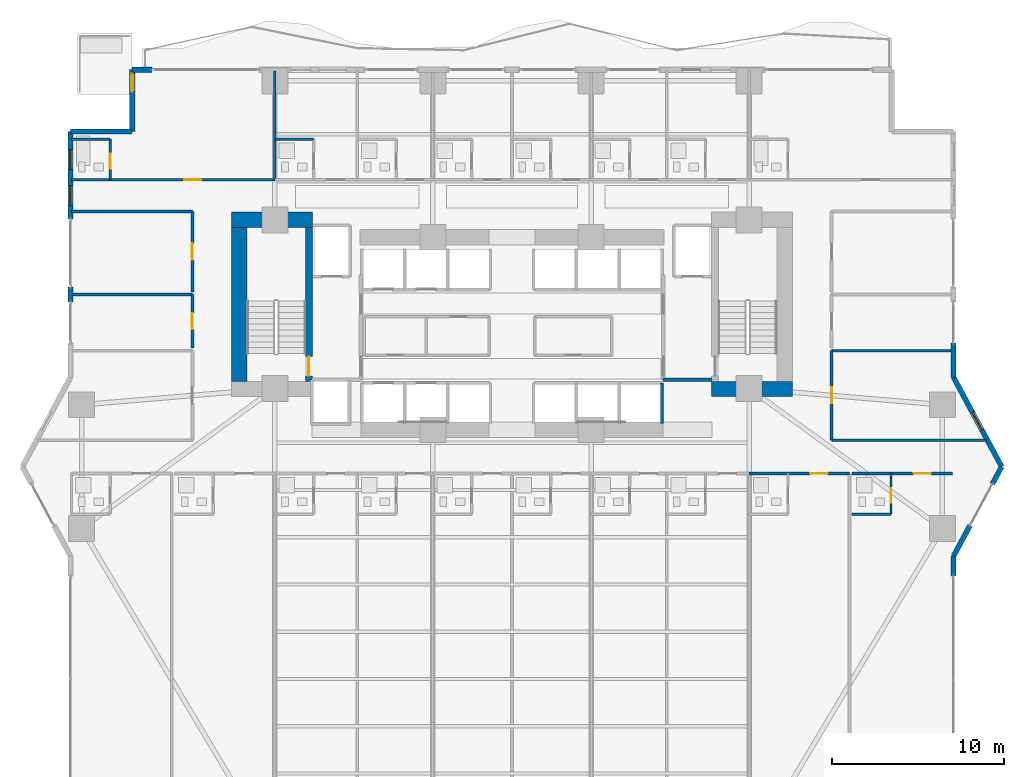
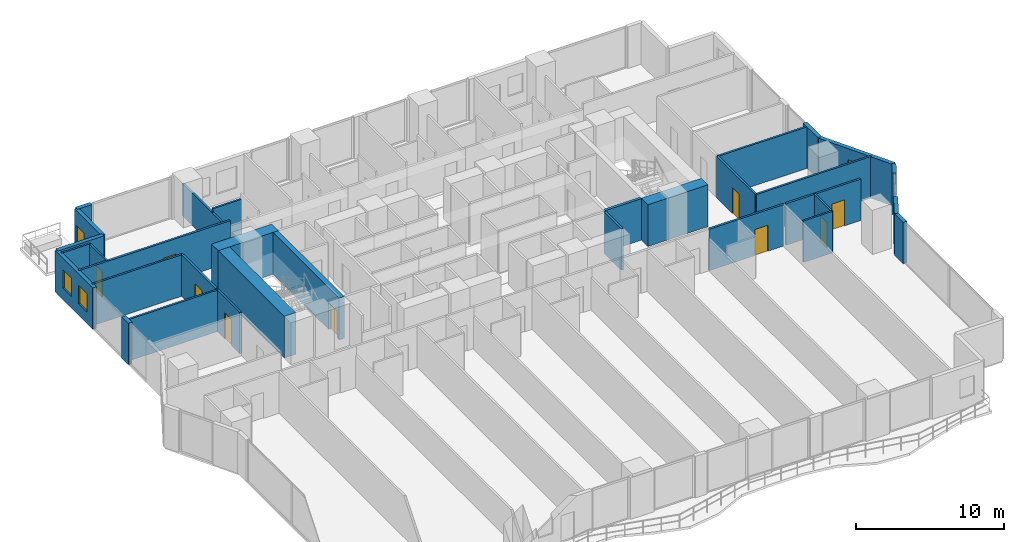
# One storey, part 21 of 29: 32 walls, 10 doors, 3 windows, 13 openings.
"""IFC4 building model written with IfcOpenShell, lengths in metres."""

import ifcopenshell
import ifcopenshell.guid

model = None  # the IFC model being written
_history = None  # IfcOwnerHistory: only IFC2X3 demands one
_inside = {}  # id of a spatial element -> (the spatial element, [elements in it])
_under = {}  # id of a project, library or spatial element -> (it, [spatial elements below it])
_declared = {}  # id of a project -> (the project, [libraries it declares])
_typed = {}  # id of a type object -> (the type object, [elements of that type])
_made_of = {}  # id of a material, layer set ... -> (it, [elements and type objects made of it])


def new_model(schema):
    """Start an empty IFC model of exactly this schema.

    Asked for "IFC4X3", IfcOpenShell would pick the latest addendum, in which some entities
    have other attributes; the version numbers below select the first issue.
    IFC2X3 requires an IfcOwnerHistory on every rooted entity: one is made here for all.
    """
    global model, _history
    if schema == "IFC4X3":
        model = ifcopenshell.file(schema_version=(4, 3, 0, 0))
    else:
        model = ifcopenshell.file(schema=schema)
    _inside.clear()
    _under.clear()
    _declared.clear()
    _typed.clear()
    _made_of.clear()
    _history = None
    if model.schema == "IFC2X3":
        org = make("IfcOrganization", Name="unknown")
        user = make(
            "IfcPersonAndOrganization",
            ThePerson=make("IfcPerson", FamilyName="unknown"),
            TheOrganization=org,
        )
        app = make(
            "IfcApplication",
            ApplicationDeveloper=org,
            Version="unknown",
            ApplicationFullName="unknown",
            ApplicationIdentifier="unknown",
        )
        _history = make(
            "IfcOwnerHistory",
            OwningUser=user,
            OwningApplication=app,
            ChangeAction="ADDED",
            CreationDate=0,
        )
    return model


def make(cls, **values):
    """One entity of the class cls with the attributes given. An attribute that is None is left unset."""
    return model.create_entity(
        cls, **{name: value for name, value in values.items() if value is not None}
    )


def rooted(cls, **values):
    """An entity with a GlobalId (a new one), such as an element, a storey or a relation."""
    return make(cls, GlobalId=ifcopenshell.guid.new(), OwnerHistory=_history, **values)


def si_unit(unit_type, name, prefix=None):
    """IfcSIUnit, for example si_unit("LENGTHUNIT", "METRE", prefix="MILLI")."""
    return make("IfcSIUnit", UnitType=unit_type, Prefix=prefix, Name=name)


def assignment(units):
    """IfcUnitAssignment: the units of a project."""
    return None if units is None else make("IfcUnitAssignment", Units=units)


def point(xyz):
    """IfcCartesianPoint."""
    return None if xyz is None else make("IfcCartesianPoint", Coordinates=xyz)


def direction(xyz):
    """IfcDirection."""
    return None if xyz is None else make("IfcDirection", DirectionRatios=xyz)


def frame(location, z_axis=None, x_axis=None):
    """IfcAxis2Placement3D, a coordinate frame: its origin and axes. An axis left out is left unset."""
    return make(
        "IfcAxis2Placement3D",
        Location=point(location),
        Axis=direction(z_axis),
        RefDirection=direction(x_axis),
    )


def frame_2d(location, x_axis=None):
    """IfcAxis2Placement2D, a coordinate frame in the plane: its origin and x axis."""
    return make(
        "IfcAxis2Placement2D", Location=point(location), RefDirection=direction(x_axis)
    )


def origin():
    """The frame at (0, 0, 0) with its axes left unset."""
    return frame((0.0, 0.0, 0.0))


def place(relative_to, where):
    """IfcLocalPlacement: puts the frame where relative to a parent placement (None: the world)."""
    return make(
        "IfcLocalPlacement", PlacementRelTo=relative_to, RelativePlacement=where
    )


def context(
    kind, dimensions, precision=None, world=None, true_north=None, identifier=None
):
    """IfcGeometricRepresentationContext, for example the 3D "Model" context."""
    return make(
        "IfcGeometricRepresentationContext",
        ContextIdentifier=identifier,
        ContextType=kind,
        CoordinateSpaceDimension=dimensions,
        Precision=precision,
        WorldCoordinateSystem=world,
        TrueNorth=true_north,
    )


def subcontext(parent, identifier, kind, view, scale=None):
    """IfcGeometricRepresentationSubContext, for example "Body" below "Model"."""
    return make(
        "IfcGeometricRepresentationSubContext",
        ContextIdentifier=identifier,
        ContextType=kind,
        ParentContext=parent,
        TargetScale=scale,
        TargetView=view,
    )


def project(units=None, contexts=None):
    """IfcProject with its units and contexts."""
    return rooted(
        "IfcProject",
        Name="project",
        RepresentationContexts=contexts,
        UnitsInContext=assignment(units),
    )


def spatial(cls, under=None, at=None, **own):
    """A site, building, storey or space (cls), placed at a placement, below another one or the project."""
    s = rooted(cls, ObjectPlacement=at, **own)
    if under is not None:
        _under.setdefault(under.id(), (under, []))[1].append(s)
    return s


def profile(cls, at=None, kind="AREA", **sizes):
    """A parametric profile (cls). Its sizes go by their IFC names, for example OverallWidth=200.0."""
    return make(cls, ProfileType=kind, Position=at, **sizes)


def rectangle(**sizes):
    """IfcRectangleProfileDef."""
    return profile("IfcRectangleProfileDef", **sizes)


def extrude(swept, where, along, depth):
    """IfcExtrudedAreaSolid: the profile swept, set in the frame where, extruded along a direction by depth."""
    return make(
        "IfcExtrudedAreaSolid",
        SweptArea=swept,
        Position=where,
        ExtrudedDirection=direction(along),
        Depth=depth,
    )


def shape(context_of_items, identifier, shape_type, items):
    """IfcShapeRepresentation: the items that make up one representation, for example the "Body"."""
    return make(
        "IfcShapeRepresentation",
        ContextOfItems=context_of_items,
        RepresentationIdentifier=identifier,
        RepresentationType=shape_type,
        Items=items,
    )


def material(Name=None, Category=None):
    """IfcMaterial."""
    return make("IfcMaterial", Name=Name, Category=Category)


def layer(
    of_material, thickness, ventilated=None, Name=None, Category=None, Priority=None
):
    """IfcMaterialLayer: one layer of a wall or slab, of a material (None: an air gap)."""
    return make(
        "IfcMaterialLayer",
        Material=of_material,
        LayerThickness=thickness,
        IsVentilated=ventilated,
        Name=Name,
        Category=Category,
        Priority=Priority,
    )


def layer_set(layers, Name=None):
    """IfcMaterialLayerSet."""
    return make("IfcMaterialLayerSet", MaterialLayers=layers, LayerSetName=Name)


def made_of(thing, what):
    """Note that an element or type object is made of a material, layer set ...; save() writes the relation."""
    if what is not None:
        _made_of.setdefault(what.id(), (what, []))[1].append(thing)
    return thing


def type_object(cls, material=None, **own):
    """A type object (cls), such as IfcWallType, which elements share."""
    return made_of(rooted(cls, **own), material)


def element(
    cls,
    number,
    at=None,
    inside=None,
    cuts=None,
    type_object=None,
    material=None,
    context=None,
    identifier="Body",
    shape_type=None,
    held_by="IfcProductDefinitionShape",
    body=None,
    shapes=None,
    **own,
):
    """One element of the class cls, such as IfcWall. Its Tag is "e" and its number.

    at: its placement. inside: the storey or other place that contains it. cuts: it is an
    opening in that element (IfcRelVoidsElement). A single representation is given by context,
    identifier, shape_type and body (its items); several are given by shapes. held_by: the class
    of the entity that holds the representations. save() writes the other relations.
    """
    e = rooted(cls, Tag="e%d" % number, ObjectPlacement=at, **own)
    if body is not None:
        shapes = [shape(context, identifier, shape_type, body)]
    if shapes is not None:
        e.Representation = make(held_by, Representations=shapes)
    if inside is not None:
        _inside.setdefault(inside.id(), (inside, []))[1].append(e)
    if cuts is not None:
        rooted(
            "IfcRelVoidsElement", RelatingBuildingElement=cuts, RelatedOpeningElement=e
        )
    if type_object is not None:
        _typed.setdefault(type_object.id(), (type_object, []))[1].append(e)
    return made_of(e, material)


def fill(opening, filler):
    """IfcRelFillsElement: the door or window that sits in an opening."""
    return rooted(
        "IfcRelFillsElement",
        RelatingOpeningElement=opening,
        RelatedBuildingElement=filler,
    )


def aggregate(whole, parts):
    """IfcRelAggregates: a whole, such as a stair, and the parts it consists of."""
    return rooted("IfcRelAggregates", RelatingObject=whole, RelatedObjects=parts)


def save(model, path):
    """Write the relations noted so far, then the file.

    IfcRelAggregates (storeys below a building ...), IfcRelContainedInSpatialStructure (elements
    in a storey), IfcRelDefinesByType, IfcRelAssociatesMaterial and IfcRelDeclares: one each for
    every whole, place, type object, material and project.
    """
    for whole, parts in _under.values():
        aggregate(whole, parts)
    for where, things in _inside.values():
        rooted(
            "IfcRelContainedInSpatialStructure",
            RelatedElements=things,
            RelatingStructure=where,
        )
    for kind, things in _typed.values():
        rooted("IfcRelDefinesByType", RelatedObjects=things, RelatingType=kind)
    for what, things in _made_of.values():
        rooted("IfcRelAssociatesMaterial", RelatedObjects=things, RelatingMaterial=what)
    for by, libraries in _declared.values():
        rooted("IfcRelDeclares", RelatingContext=by, RelatedDefinitions=libraries)
    model.write(path)


model = new_model("IFC4")

# Units and contexts
model_context = context("Model", 3, precision=1e-05, world=origin(), true_north=direction((0.0, 1.0)))
body_context = subcontext(model_context, "Body", "Model", "MODEL_VIEW")
ifc_project = project(units=[si_unit("LENGTHUNIT", "METRE"), si_unit("AREAUNIT", "SQUARE_METRE"), si_unit("VOLUMEUNIT", "CUBIC_METRE"), si_unit("PLANEANGLEUNIT", "RADIAN"), si_unit("MASSUNIT", "GRAM", prefix="KILO")], contexts=[model_context])

# Site, building, storey
site_placement = place(None, origin())
site = spatial("IfcSite", under=ifc_project, at=site_placement, CompositionType="ELEMENT")
building_placement = place(site_placement, origin())
building = spatial("IfcBuilding", under=site, at=building_placement, Name="Zuhayl Quay Hotel", CompositionType="ELEMENT")
storey_placement = place(building_placement, frame((0.0, 0.0, 64.10009765625)))
storey = spatial("IfcBuildingStorey", under=building, at=storey_placement, Name="L15", CompositionType="ELEMENT", Elevation=64.10009765625)

# Walls
ifc_material_1 = material(Name="Concrete C70/85", Category="concrete")
ifc_layer_1 = layer(ifc_material_1, 0.89990234375, Name="Concrete C70/85", Category="concrete")
ifc_layer_set_1 = layer_set([ifc_layer_1], Name="Concrete C70/85")
wall_type_1 = type_object("IfcWallType", Name="WL_CORE_900", PredefinedType="SHEAR", material=ifc_layer_set_1)
wall_1_placement = place(storey_placement, frame((-16.31005859375, 14.3798828125, 0.0), z_axis=(0.0, 0.0, 1.0), x_axis=(1.0, 0.0, 0.0)))
element("IfcWall", 1, at=wall_1_placement, inside=storey, type_object=wall_type_1, Name="L15 Core Shear Wall CW_NW", PredefinedType="SHEAR", context=body_context, shape_type="SweptSolid", body=[
    extrude(rectangle(XDim=4.7099609375, YDim=0.89990234375, at=frame_2d((2.35498046875, 0.0))), origin(), (0.0, 0.0, 1.0), 3.4599609375),
])
wall_2_placement = place(storey_placement, frame((-15.860107421875, 4.969970703125, 0.0), z_axis=(0.0, 0.0, 1.0), x_axis=(0.0, 1.0, 0.0)))
element("IfcWall", 2, at=wall_2_placement, inside=storey, type_object=wall_type_1, Name="L15 Core Shear Wall CW_W", PredefinedType="SHEAR", context=body_context, shape_type="SweptSolid", body=[
    extrude(rectangle(XDim=8.9599609375, YDim=0.89990234375, at=frame_2d((4.47998046875, 0.0))), origin(), (0.0, 0.0, 1.0), 3.4599609375),
])
wall_3_placement = place(storey_placement, frame((11.60009765625, 4.52001953125, 0.0), z_axis=(0.0, 0.0, 1.0), x_axis=(1.0, 0.0, 0.0)))
element("IfcWall", 3, at=wall_3_placement, inside=storey, type_object=wall_type_1, Name="L15 Core Shear Wall CW_SE", PredefinedType="SHEAR", context=body_context, shape_type="SweptSolid", body=[
    extrude(rectangle(XDim=4.7099609375, YDim=0.89990234375, at=frame_2d((2.35498046875, 0.0))), origin(), (0.0, 0.0, 1.0), 3.4599609375),
])
ifc_material_2 = material(Name="Precast concrete C45/55", Category="concrete")
ifc_layer_2 = layer(ifc_material_2, 0.300048828125, Name="Precast concrete C45/55", Category="concrete")
ifc_layer_set_2 = layer_set([ifc_layer_2], Name="Precast concrete C45/55")
wall_type_2 = type_object("IfcWallType", Name="WL_EXT_300", PredefinedType="STANDARD", material=ifc_layer_set_2)
wall_4_placement = place(storey_placement, frame((-25.699951171875, 9.570068359375, 0.0), z_axis=(0.0, 0.0, 1.0), x_axis=(0.0, 1.0, 0.0)))
element("IfcWall", 4, at=wall_4_placement, inside=storey, type_object=wall_type_2, Name="L15 Exterior Precast Wall ENV_L15_E05_EW2", PredefinedType="STANDARD", context=body_context, shape_type="SweptSolid", body=[
    extrude(rectangle(XDim=0.89990234375, YDim=0.300048828125, at=frame_2d((0.449951171875, 0.0))), origin(), (0.0, 0.0, 1.0), 3.429931640625),
])

# Wall, openings, windows
wall_5_placement = place(storey_placement, frame((-25.699951171875, 14.39990234375, 0.0), z_axis=(0.0, 0.0, 1.0), x_axis=(0.0, 1.0, 0.0)))
wall_5 = element("IfcWall", 5, at=wall_5_placement, inside=storey, type_object=wall_type_2, Name="L15 Exterior Precast Wall ENV_L15_E05_EW3", PredefinedType="STANDARD", context=body_context, shape_type="SweptSolid", body=[
    extrude(rectangle(XDim=5.10009765625, YDim=0.300048828125, at=frame_2d((2.550048828125, 0.0))), origin(), (0.0, 0.0, 1.0), 3.429931640625),
])
opening_1_placement = place(wall_5_placement, frame((0.800048828125, 0.0, 0.949951171875)))
opening_1 = element("IfcOpeningElement", 6, at=opening_1_placement, cuts=wall_5, Name="Opening W01N", PredefinedType="OPENING", context=body_context, shape_type="SweptSolid", body=[
    extrude(rectangle(XDim=1.14990234375, YDim=1.550048828125, at=frame_2d((0.574951171875, 0.77490234375))), frame((0.0, 0.159912109375, 0.0), z_axis=(0.0, -1.0, 0.0), x_axis=(1.0, 0.0, 0.0)), (0.0, 0.0, 1.0), 0.320068359375),
])
opening_2_placement = place(wall_5_placement, frame((2.905029296875, 0.0, 0.949951171875)))
opening_2 = element("IfcOpeningElement", 7, at=opening_2_placement, cuts=wall_5, Name="Opening W01N", PredefinedType="OPENING", context=body_context, shape_type="SweptSolid", body=[
    extrude(rectangle(XDim=1.14990234375, YDim=1.550048828125, at=frame_2d((0.574951171875, 0.77490234375))), frame((0.0, 0.159912109375, 0.0), z_axis=(0.0, -1.0, 0.0), x_axis=(1.0, 0.0, 0.0)), (0.0, 0.0, 1.0), 0.320068359375),
])
ifc_material_3 = material(Name="Dark Ceramic-Fritted Solar Glass", Category="glass")
window_type = type_object("IfcWindowType", Name="WN_NOTCH_1350", PartitioningType="SINGLE_PANEL", PredefinedType="WINDOW", material=ifc_material_3)
window_1_placement = place(opening_1_placement, origin())
window_1 = element("IfcWindow", 8, at=window_1_placement, inside=storey, type_object=window_type, Name="L15 Operable Facade Window 3-1", OverallHeight=1.550048828125, OverallWidth=1.14990234375, PartitioningType="SINGLE_PANEL", PredefinedType="WINDOW", context=body_context, shape_type="SweptSolid", body=[
    extrude(rectangle(XDim=1.14990234375, YDim=1.550048828125, at=frame_2d((0.574951171875, 0.77490234375))), frame((0.0, 0.030029296875, 0.0), z_axis=(0.0, -1.0, 0.0), x_axis=(1.0, 0.0, 0.0)), (0.0, 0.0, 1.0), 0.06005859375),
])
fill(opening_1, window_1)
window_2_placement = place(opening_2_placement, origin())
window_2 = element("IfcWindow", 9, at=window_2_placement, inside=storey, type_object=window_type, Name="L15 Operable Facade Window 3-2", OverallHeight=1.550048828125, OverallWidth=1.14990234375, PartitioningType="SINGLE_PANEL", PredefinedType="WINDOW", context=body_context, shape_type="SweptSolid", body=[
    extrude(rectangle(XDim=1.14990234375, YDim=1.550048828125, at=frame_2d((0.574951171875, 0.77490234375))), frame((0.0, 0.030029296875, 0.0), z_axis=(0.0, -1.0, 0.0), x_axis=(1.0, 0.0, 0.0)), (0.0, 0.0, 1.0), 0.06005859375),
])
fill(opening_2, window_2)

# Wall
wall_6_placement = place(storey_placement, frame((-25.699951171875, 19.5, 0.0), z_axis=(0.0, 0.0, 1.0), x_axis=(1.0, 0.0, 0.0)))
element("IfcWall", 10, at=wall_6_placement, inside=storey, type_object=wall_type_2, Name="L15 Exterior Precast Wall ENV_L15_EW06", PredefinedType="STANDARD", context=body_context, shape_type="SweptSolid", body=[
    extrude(rectangle(XDim=3.599853515625, YDim=0.300048828125, at=frame_2d((1.7998046875, 0.0))), origin(), (0.0, 0.0, 1.0), 3.429931640625),
])

# Wall, opening, door
wall_7_placement = place(storey_placement, frame((-22.10009765625, 19.5, 0.0), z_axis=(0.0, 0.0, 1.0), x_axis=(0.0, 1.0, 0.0)))
wall_7 = element("IfcWall", 11, at=wall_7_placement, inside=storey, type_object=wall_type_2, Name="L15 Exterior Precast Wall ENV_L15_SP_NW", PredefinedType="STANDARD", context=body_context, shape_type="SweptSolid", body=[
    extrude(rectangle(XDim=3.60009765625, YDim=0.300048828125, at=frame_2d((1.800048828125, 0.0))), origin(), (0.0, 0.0, 1.0), 3.429931640625),
])
opening_3_placement = place(wall_7_placement, frame((2.330078125, 0.0, 0.0)))
opening_3 = element("IfcOpeningElement", 12, at=opening_3_placement, cuts=wall_7, Name="Opening DG1", PredefinedType="OPENING", context=body_context, shape_type="SweptSolid", body=[
    extrude(rectangle(XDim=1.050048828125, YDim=2.199951171875, at=frame_2d((0.52490234375, 1.10009765625))), frame((0.0, 0.159912109375, 0.0), z_axis=(0.0, -1.0, 0.0), x_axis=(1.0, 0.0, 0.0)), (0.0, 0.0, 1.0), 0.320068359375),
])
ifc_material_4 = material(Name="Anodised Aluminium and Dark Solar Glass", Category="aluminium")
door_type_1 = type_object("IfcDoorType", Name="DR_EXT_TERR_1050", OperationType="NOTDEFINED", PredefinedType="DOOR", material=ifc_material_4)
door_1_placement = place(opening_3_placement, origin())
door_1 = element("IfcDoor", 13, at=door_1_placement, inside=storey, type_object=door_type_1, Name="L15 Spiral Sky-Terrace NW Access Door", OperationType="SINGLE_SWING_LEFT", OverallHeight=2.199951171875, OverallWidth=1.050048828125, PredefinedType="DOOR", context=body_context, shape_type="SweptSolid", body=[
    extrude(rectangle(XDim=1.050048828125, YDim=2.199951171875, at=frame_2d((0.52490234375, 1.10009765625))), frame((0.0, 0.02490234375, 0.0), z_axis=(0.0, -1.0, 0.0), x_axis=(1.0, 0.0, 0.0)), (0.0, 0.0, 1.0), 0.050048828125),
])
fill(opening_3, door_1)

# Walls
wall_8_placement = place(storey_placement, frame((-22.10009765625, 23.10009765625, 0.0), z_axis=(0.0, 0.0, 1.0), x_axis=(1.0, 0.0, 0.0)))
element("IfcWall", 14, at=wall_8_placement, inside=storey, type_object=wall_type_2, Name="L15 Exterior Precast Wall ENV_L15_N_EW1", PredefinedType="STANDARD", context=body_context, shape_type="SweptSolid", body=[
    extrude(rectangle(XDim=1.150146484375, YDim=0.300048828125, at=frame_2d((0.5751953125, 0.0))), origin(), (0.0, 0.0, 1.0), 3.429931640625),
])
wall_9_placement = place(storey_placement, frame((25.699951171875, 7.199951171875, 0.0), z_axis=(0.0, 0.0, 1.0), x_axis=(0.0, -1.0, 0.0)))
element("IfcWall", 15, at=wall_9_placement, inside=storey, type_object=wall_type_2, Name="L15 Exterior Precast Wall ENV_L15_E11_EW3", PredefinedType="STANDARD", context=body_context, shape_type="SweptSolid", body=[
    extrude(rectangle(XDim=2.0, YDim=0.300048828125, at=frame_2d((1.0, 0.0))), origin(), (0.0, 0.0, 1.0), 3.429931640625),
])

# Wall, opening, window
wall_10_placement = place(storey_placement, frame((25.699951171875, 5.199951171875, 0.0), z_axis=(0.0, 0.0, 1.0), x_axis=(0.474109683532, -0.880465790352, 0.0)))
wall_10 = element("IfcWall", 16, at=wall_10_placement, inside=storey, type_object=wall_type_2, Name="L15 Exterior Precast Wall ENV_L15_E12_EW1", PredefinedType="STANDARD", context=body_context, shape_type="SweptSolid", body=[
    extrude(rectangle(XDim=5.906005859375, YDim=0.300048828125, at=frame_2d((2.953125, 0.0))), origin(), (0.0, 0.0, 1.0), 3.429931640625),
])
opening_4_placement = place(wall_10_placement, frame((2.32373046875, 0.0, 0.949951171875)))
opening_4 = element("IfcOpeningElement", 17, at=opening_4_placement, cuts=wall_10, Name="Opening W01N", PredefinedType="OPENING", context=body_context, shape_type="SweptSolid", body=[
    extrude(rectangle(XDim=1.14990234375, YDim=1.550048828125, at=frame_2d((0.574951171875, 0.77490234375))), frame((0.0, 0.159912109375, 0.0), z_axis=(0.0, -1.0, 0.0), x_axis=(1.0, 0.0, 0.0)), (0.0, 0.0, 1.0), 0.320068359375),
])
window_3_placement = place(opening_4_placement, origin())
window_3 = element("IfcWindow", 18, at=window_3_placement, inside=storey, type_object=window_type, Name="L15 Operable Facade Window 1-1", OverallHeight=1.550048828125, OverallWidth=1.14990234375, PartitioningType="SINGLE_PANEL", PredefinedType="WINDOW", context=body_context, shape_type="SweptSolid", body=[
    extrude(rectangle(XDim=1.14990234375, YDim=1.550048828125, at=frame_2d((0.574951171875, 0.77490234375))), frame((0.0, 0.030029296875, 0.0), z_axis=(0.0, -1.0, 0.0), x_axis=(1.0, 0.0, 0.0)), (0.0, 0.0, 1.0), 0.06005859375),
])
fill(opening_4, window_3)

# Walls
wall_11_placement = place(storey_placement, frame((28.5, 0.0, 0.0), z_axis=(0.0, 0.0, 1.0), x_axis=(-0.474099823035, -0.880471099922, 0.0)))
element("IfcWall", 19, at=wall_11_placement, inside=storey, type_object=wall_type_2, Name="L15 Exterior Precast Wall ENV_L15_E13_EW1", PredefinedType="STANDARD", context=body_context, shape_type="SweptSolid", body=[
    extrude(rectangle(XDim=1.14990234375, YDim=0.300048828125, at=frame_2d((0.574951171875, 0.0))), origin(), (0.0, 0.0, 1.0), 3.429931640625),
])
wall_12_placement = place(storey_placement, frame((26.657958984375, -3.4208984375, 0.0), z_axis=(0.0, 0.0, 1.0), x_axis=(-0.474121438562, -0.88045946045, 0.0)))
element("IfcWall", 20, at=wall_12_placement, inside=storey, type_object=wall_type_2, Name="L15 Exterior Precast Wall ENV_L15_E13_EW2", PredefinedType="STANDARD", context=body_context, shape_type="SweptSolid", body=[
    extrude(rectangle(XDim=2.0205078125, YDim=0.300048828125, at=frame_2d((1.01025390625, 0.0))), origin(), (0.0, 0.0, 1.0), 3.429931640625),
])
wall_13_placement = place(storey_placement, frame((25.699951171875, -5.199951171875, 0.0), z_axis=(0.0, 0.0, 1.0), x_axis=(0.0, -1.0, 0.0)))
element("IfcWall", 21, at=wall_13_placement, inside=storey, type_object=wall_type_2, Name="L15 Exterior Precast Wall ENV_L15_E14_EW1", PredefinedType="STANDARD", context=body_context, shape_type="SweptSolid", body=[
    extrude(rectangle(XDim=1.150146484375, YDim=0.300048828125, at=frame_2d((0.5751953125, 0.0))), origin(), (0.0, 0.0, 1.0), 3.429931640625),
])
ifc_material_5 = material(Name="Acoustic Gypsum Partition STC-58")
ifc_layer_3 = layer(ifc_material_5, 0.14990234375, Name="Acoustic Gypsum Partition STC-58")
ifc_layer_set_3 = layer_set([ifc_layer_3], Name="Acoustic Gypsum Partition STC-58")
wall_type_3 = type_object("IfcWallType", Name="WL_PART_150", PredefinedType="PARTITIONING", material=ifc_layer_set_3)
wall_14_placement = place(storey_placement, frame((-13.800048828125, 16.699951171875, 0.0), z_axis=(0.0, 0.0, 1.0), x_axis=(0.0, 1.0, 0.0)))
element("IfcWall", 22, at=wall_14_placement, inside=storey, type_object=wall_type_3, Name="L15 Partition IW_L15_NU01_E", PredefinedType="PARTITIONING", context=body_context, shape_type="SweptSolid", body=[
    extrude(rectangle(XDim=6.320068359375, YDim=0.14990234375, at=frame_2d((3.16015625, 0.0))), origin(), (0.0, 0.0, 1.0), 2.66796875),
])
wall_15_placement = place(storey_placement, frame((18.60009765625, 1.550048828125, 0.0), z_axis=(0.0, 0.0, 1.0), x_axis=(1.0, 0.0, 0.0)))
element("IfcWall", 23, at=wall_15_placement, inside=storey, type_object=wall_type_3, Name="L15 Partition IW_L15_HK_MAIN_S", PredefinedType="PARTITIONING", context=body_context, shape_type="SweptSolid", body=[
    extrude(rectangle(XDim=9.00537109375, YDim=0.14990234375, at=frame_2d((4.502685546875, 0.0))), origin(), (0.0, 0.0, 1.0), 3.429931640625),
])
for number, where, z_axis, x_axis, name in (
    (24, (18.60009765625, 6.75, 0.0), (0.0, 0.0, 1.0), (1.0, 0.0, 0.0), "L15 Partition IW_L15_HK_MAIN_N"),
    (25, (-25.639892578125, 10.02001953125, 0.0), (0.0, 0.0, 1.0), (1.0, 0.0, 0.0), "L15 Partition IW_L15_WPROW_2_N"),
    (26, (-25.639892578125, 14.85009765625, 0.0), (0.0, 0.0, 1.0), (1.0, 0.0, 0.0), "L15 Partition IW_L15_WPROW_3_N"),
):
    element("IfcWall", number, at=place(storey_placement, frame(where, z_axis=z_axis, x_axis=x_axis)), inside=storey, type_object=wall_type_3, Name=name, PredefinedType="PARTITIONING", context=body_context, shape_type="SweptSolid", body=[
        extrude(rectangle(XDim=7.039794921875, YDim=0.14990234375, at=frame_2d((3.52001953125, 0.0))), origin(), (0.0, 0.0, 1.0), 3.429931640625),
    ])

# Wall, opening, door
ifc_layer_4 = layer(ifc_material_5, 0.159912109375, Name="Acoustic Gypsum Partition STC-58")
ifc_layer_set_4 = layer_set([ifc_layer_4], Name="Acoustic Gypsum Partition STC-58")
wall_type_4 = type_object("IfcWallType", Name="WL_PART_CORR_160", PredefinedType="PARTITIONING", material=ifc_layer_set_4)
wall_16_placement = place(storey_placement, frame((-25.639892578125, 16.699951171875, 0.0), z_axis=(0.0, 0.0, 1.0), x_axis=(1.0, 0.0, 0.0)))
wall_16 = element("IfcWall", 27, at=wall_16_placement, inside=storey, type_object=wall_type_4, Name="L15 Partition IW_L15_NU01_COR", PredefinedType="PARTITIONING", context=body_context, shape_type="SweptSolid", body=[
    extrude(rectangle(XDim=11.83984375, YDim=0.159912109375, at=frame_2d((5.919921875, 0.0))), origin(), (0.0, 0.0, 1.0), 3.429931640625),
])
opening_5_placement = place(wall_16_placement, frame((6.570068359375, 0.0, 0.0)))
opening_5 = element("IfcOpeningElement", 28, at=opening_5_placement, cuts=wall_16, Name="Opening D03L", PredefinedType="OPENING", context=body_context, shape_type="SweptSolid", body=[
    extrude(rectangle(XDim=1.0, YDim=2.14990234375, at=frame_2d((0.5, 1.074951171875))), frame((0.0, 0.08984375, 0.0), z_axis=(0.0, -1.0, 0.0), x_axis=(1.0, 0.0, 0.0)), (0.0, 0.0, 1.0), 0.179931640625),
])
ifc_material_6 = material(Name="Solid Walnut Acoustic Fire Door")
door_type_2 = type_object("IfcDoorType", Name="DR_SUITE_1000", OperationType="NOTDEFINED", PredefinedType="DOOR", material=ifc_material_6)
door_2_placement = place(opening_5_placement, origin())
door_2 = element("IfcDoor", 29, at=door_2_placement, inside=storey, type_object=door_type_2, Name="L15 Deluxe Gulf Guest Room L15-01 Entrance Door", OperationType="SINGLE_SWING_LEFT", OverallHeight=2.14990234375, OverallWidth=1.0, PredefinedType="DOOR", context=body_context, shape_type="SweptSolid", body=[
    extrude(rectangle(XDim=1.0, YDim=2.14990234375, at=frame_2d((0.5, 1.074951171875))), frame((0.0, 0.02490234375, 0.0), z_axis=(0.0, -1.0, 0.0), x_axis=(1.0, 0.0, 0.0)), (0.0, 0.0, 1.0), 0.050048828125),
])
fill(opening_5, door_2)

wall_17_placement = place(storey_placement, frame((13.800048828125, -0.39990234375, 0.0), z_axis=(0.0, 0.0, 1.0), x_axis=(1.0, 0.0, 0.0)))
wall_17 = element("IfcWall", 30, at=wall_17_placement, inside=storey, type_object=wall_type_4, Name="L15 Partition IW_L15_SU08A_COR", PredefinedType="PARTITIONING", context=body_context, shape_type="SweptSolid", body=[
    extrude(rectangle(XDim=5.83984375, YDim=0.159912109375, at=frame_2d((2.919921875, 0.0))), origin(), (0.0, 0.0, 1.0), 3.429931640625),
])
opening_6_placement = place(wall_17_placement, frame((3.570068359375, 0.0, 0.0)))
opening_6 = element("IfcOpeningElement", 31, at=opening_6_placement, cuts=wall_17, Name="Opening D03L", PredefinedType="OPENING", context=body_context, shape_type="SweptSolid", body=[
    extrude(rectangle(XDim=1.0, YDim=2.14990234375, at=frame_2d((0.5, 1.074951171875))), frame((0.0, 0.08984375, 0.0), z_axis=(0.0, -1.0, 0.0), x_axis=(1.0, 0.0, 0.0)), (0.0, 0.0, 1.0), 0.179931640625),
])
door_3_placement = place(opening_6_placement, origin())
door_3 = element("IfcDoor", 32, at=door_3_placement, inside=storey, type_object=door_type_2, Name="L15 Premier Twin Junior Suite L15-08A Entrance Door", OperationType="SINGLE_SWING_LEFT", OverallHeight=2.14990234375, OverallWidth=1.0, PredefinedType="DOOR", context=body_context, shape_type="SweptSolid", body=[
    extrude(rectangle(XDim=1.0, YDim=2.14990234375, at=frame_2d((0.5, 1.074951171875))), frame((0.0, 0.02490234375, 0.0), z_axis=(0.0, -1.0, 0.0), x_axis=(1.0, 0.0, 0.0)), (0.0, 0.0, 1.0), 0.050048828125),
])
fill(opening_6, door_3)

wall_18_placement = place(storey_placement, frame((19.800048828125, -0.39990234375, 0.0), z_axis=(0.0, 0.0, 1.0), x_axis=(1.0, 0.0, 0.0)))
wall_18 = element("IfcWall", 33, at=wall_18_placement, inside=storey, type_object=wall_type_4, Name="L15 Partition IW_L15_SU08B_COR", PredefinedType="PARTITIONING", context=body_context, shape_type="SweptSolid", body=[
    extrude(rectangle(XDim=5.83984375, YDim=0.159912109375, at=frame_2d((2.919921875, 0.0))), origin(), (0.0, 0.0, 1.0), 3.429931640625),
])
opening_7_placement = place(wall_18_placement, frame((3.570068359375, 0.0, 0.0)))
opening_7 = element("IfcOpeningElement", 34, at=opening_7_placement, cuts=wall_18, Name="Opening D03L", PredefinedType="OPENING", context=body_context, shape_type="SweptSolid", body=[
    extrude(rectangle(XDim=1.0, YDim=2.14990234375, at=frame_2d((0.5, 1.074951171875))), frame((0.0, 0.08984375, 0.0), z_axis=(0.0, -1.0, 0.0), x_axis=(1.0, 0.0, 0.0)), (0.0, 0.0, 1.0), 0.179931640625),
])
door_4_placement = place(opening_7_placement, origin())
door_4 = element("IfcDoor", 35, at=door_4_placement, inside=storey, type_object=door_type_2, Name="L15 Premier Twin Junior Suite L15-08B Entrance Door", OperationType="SINGLE_SWING_LEFT", OverallHeight=2.14990234375, OverallWidth=1.0, PredefinedType="DOOR", context=body_context, shape_type="SweptSolid", body=[
    extrude(rectangle(XDim=1.0, YDim=2.14990234375, at=frame_2d((0.5, 1.074951171875))), frame((0.0, 0.02490234375, 0.0), z_axis=(0.0, -1.0, 0.0), x_axis=(1.0, 0.0, 0.0)), (0.0, 0.0, 1.0), 0.050048828125),
])
fill(opening_7, door_4)

wall_19_placement = place(storey_placement, frame((18.60009765625, 1.550048828125, 0.0), z_axis=(0.0, 0.0, 1.0), x_axis=(0.0, 1.0, 0.0)))
wall_19 = element("IfcWall", 36, at=wall_19_placement, inside=storey, type_object=wall_type_4, Name="L15 Partition IW_L15_HK_MAIN_W", PredefinedType="PARTITIONING", context=body_context, shape_type="SweptSolid", body=[
    extrude(rectangle(XDim=5.199951171875, YDim=0.159912109375, at=frame_2d((2.60009765625, 0.0))), origin(), (0.0, 0.0, 1.0), 3.429931640625),
])
opening_8_placement = place(wall_19_placement, frame((2.139892578125, 0.0, 0.0)))
opening_8 = element("IfcOpeningElement", 37, at=opening_8_placement, cuts=wall_19, Name="Opening D05", PredefinedType="OPENING", context=body_context, shape_type="SweptSolid", body=[
    extrude(rectangle(XDim=0.919921875, YDim=2.1201171875, at=frame_2d((0.4599609375, 1.06005859375))), frame((0.0, 0.08984375, 0.0), z_axis=(0.0, -1.0, 0.0), x_axis=(1.0, 0.0, 0.0)), (0.0, 0.0, 1.0), 0.179931640625),
])
door_type_3 = type_object("IfcDoorType", Name="DR_INT_950", OperationType="NOTDEFINED", PredefinedType="DOOR", material=ifc_material_6)
door_5_placement = place(opening_8_placement, origin())
door_5 = element("IfcDoor", 38, at=door_5_placement, inside=storey, type_object=door_type_3, Name="L15 Housekeeping and Linen Room Door", OperationType="SINGLE_SWING_RIGHT", OverallHeight=2.1201171875, OverallWidth=0.919921875, PredefinedType="DOOR", context=body_context, shape_type="SweptSolid", body=[
    extrude(rectangle(XDim=0.919921875, YDim=2.1201171875, at=frame_2d((0.4599609375, 1.06005859375))), frame((0.0, 0.02490234375, 0.0), z_axis=(0.0, -1.0, 0.0), x_axis=(1.0, 0.0, 0.0)), (0.0, 0.0, 1.0), 0.050048828125),
])
fill(opening_8, door_5)

wall_20_placement = place(storey_placement, frame((-18.60009765625, 6.909912109375, 0.0), z_axis=(0.0, 0.0, 1.0), x_axis=(0.0, 1.0, 0.0)))
wall_20 = element("IfcWall", 39, at=wall_20_placement, inside=storey, type_object=wall_type_4, Name="L15 Partition IW_L15_WPROW_2_E", PredefinedType="PARTITIONING", context=body_context, shape_type="SweptSolid", body=[
    extrude(rectangle(XDim=3.110107421875, YDim=0.159912109375, at=frame_2d((1.55517578125, 0.0))), origin(), (0.0, 0.0, 1.0), 3.429931640625),
])
opening_9_placement = place(wall_20_placement, frame((1.080078125, 0.0, 0.0)))
opening_9 = element("IfcOpeningElement", 40, at=opening_9_placement, cuts=wall_20, Name="Opening D03", PredefinedType="OPENING", context=body_context, shape_type="SweptSolid", body=[
    extrude(rectangle(XDim=0.949951171875, YDim=2.14990234375, at=frame_2d((0.47509765625, 1.074951171875))), frame((0.0, 0.08984375, 0.0), z_axis=(0.0, -1.0, 0.0), x_axis=(1.0, 0.0, 0.0)), (0.0, 0.0, 1.0), 0.179931640625),
])
door_type_4 = type_object("IfcDoorType", Name="DR_SUITE_950", OperationType="NOTDEFINED", PredefinedType="DOOR", material=ifc_material_6)
door_6_placement = place(opening_9_placement, origin())
door_6 = element("IfcDoor", 41, at=door_6_placement, inside=storey, type_object=door_type_4, Name="L15 Sunset Tea Salon L15 Door", OperationType="SINGLE_SWING_RIGHT", OverallHeight=2.14990234375, OverallWidth=0.949951171875, PredefinedType="DOOR", context=body_context, shape_type="SweptSolid", body=[
    extrude(rectangle(XDim=0.949951171875, YDim=2.14990234375, at=frame_2d((0.47509765625, 1.074951171875))), frame((0.0, 0.02490234375, 0.0), z_axis=(0.0, -1.0, 0.0), x_axis=(1.0, 0.0, 0.0)), (0.0, 0.0, 1.0), 0.050048828125),
])
fill(opening_9, door_6)

wall_21_placement = place(storey_placement, frame((-18.60009765625, 10.179931640625, 0.0), z_axis=(0.0, 0.0, 1.0), x_axis=(0.0, 1.0, 0.0)))
wall_21 = element("IfcWall", 42, at=wall_21_placement, inside=storey, type_object=wall_type_4, Name="L15 Partition IW_L15_WPROW_3_E", PredefinedType="PARTITIONING", context=body_context, shape_type="SweptSolid", body=[
    extrude(rectangle(XDim=4.670166015625, YDim=0.159912109375, at=frame_2d((2.3349609375, 0.0))), origin(), (0.0, 0.0, 1.0), 3.429931640625),
])
opening_10_placement = place(wall_21_placement, frame((1.860107421875, 0.0, 0.0)))
opening_10 = element("IfcOpeningElement", 43, at=opening_10_placement, cuts=wall_21, Name="Opening D03", PredefinedType="OPENING", context=body_context, shape_type="SweptSolid", body=[
    extrude(rectangle(XDim=0.949951171875, YDim=2.14990234375, at=frame_2d((0.47509765625, 1.074951171875))), frame((0.0, 0.08984375, 0.0), z_axis=(0.0, -1.0, 0.0), x_axis=(1.0, 0.0, 0.0)), (0.0, 0.0, 1.0), 0.179931640625),
])
door_7_placement = place(opening_10_placement, origin())
door_7 = element("IfcDoor", 44, at=door_7_placement, inside=storey, type_object=door_type_4, Name="L15 West Horizon Salon L15 Door", OperationType="SINGLE_SWING_LEFT", OverallHeight=2.14990234375, OverallWidth=0.949951171875, PredefinedType="DOOR", context=body_context, shape_type="SweptSolid", body=[
    extrude(rectangle(XDim=0.949951171875, YDim=2.14990234375, at=frame_2d((0.47509765625, 1.074951171875))), frame((0.0, 0.02490234375, 0.0), z_axis=(0.0, -1.0, 0.0), x_axis=(1.0, 0.0, 0.0)), (0.0, 0.0, 1.0), 0.050048828125),
])
fill(opening_10, door_7)

ifc_material_7 = material(Name="Moisture-Resistant Sanitarychase Gypsum")
ifc_layer_5 = layer(ifc_material_7, 0.135009765625, Name="Moisture-Resistant Sanitarychase Gypsum")
ifc_layer_set_5 = layer_set([ifc_layer_5], Name="Moisture-Resistant Sanitarychase Gypsum")
wall_type_5 = type_object("IfcWallType", Name="WL_PART_PLUMB_150", PredefinedType="PLUMBINGWALL", material=ifc_layer_set_5)
wall_22_placement = place(storey_placement, frame((-23.3798828125, 16.699951171875, 0.0), z_axis=(0.0, 0.0, 1.0), x_axis=(0.0, 1.0, 0.0)))
wall_22 = element("IfcWall", 45, at=wall_22_placement, inside=storey, type_object=wall_type_5, Name="L15 Partition IW_L15_NU01_BE", PredefinedType="PLUMBINGWALL", context=body_context, shape_type="SweptSolid", body=[
    extrude(rectangle(XDim=2.360107421875, YDim=0.135009765625, at=frame_2d((1.18017578125, 0.0))), origin(), (0.0, 0.0, 1.0), 3.429931640625),
])
opening_11_placement = place(wall_22_placement, frame((0.64990234375, 0.0, 0.0)))
opening_11 = element("IfcOpeningElement", 46, at=opening_11_placement, cuts=wall_22, Name="Opening D04", PredefinedType="OPENING", context=body_context, shape_type="SweptSolid", body=[
    extrude(rectangle(XDim=0.85009765625, YDim=2.10009765625, at=frame_2d((0.425048828125, 1.050048828125))), frame((0.0, 0.077392578125, 0.0), z_axis=(0.0, -1.0, 0.0), x_axis=(1.0, 0.0, 0.0)), (0.0, 0.0, 1.0), 0.155029296875),
])
ifc_material_8 = material(Name="Moisture-Resistant Walnut Veneer")
door_type_5 = type_object("IfcDoorType", Name="DR_BATH_850", OperationType="NOTDEFINED", PredefinedType="DOOR", material=ifc_material_8)
door_8_placement = place(opening_11_placement, origin())
door_8 = element("IfcDoor", 47, at=door_8_placement, inside=storey, type_object=door_type_5, Name="L15 Deluxe Gulf Guest Room L15-01 En-Suite Door", OperationType="SINGLE_SWING_RIGHT", OverallHeight=2.10009765625, OverallWidth=0.85009765625, PredefinedType="DOOR", context=body_context, shape_type="SweptSolid", body=[
    extrude(rectangle(XDim=0.85009765625, YDim=2.10009765625, at=frame_2d((0.425048828125, 1.050048828125))), frame((0.0, 0.02490234375, 0.0), z_axis=(0.0, -1.0, 0.0), x_axis=(1.0, 0.0, 0.0)), (0.0, 0.0, 1.0), 0.050048828125),
])
fill(opening_11, door_8)

wall_23_placement = place(storey_placement, frame((22.06005859375, -2.760009765625, 0.0), z_axis=(0.0, 0.0, 1.0), x_axis=(0.0, 1.0, 0.0)))
wall_23 = element("IfcWall", 48, at=wall_23_placement, inside=storey, type_object=wall_type_5, Name="L15 Partition IW_L15_SU08B_BE", PredefinedType="PLUMBINGWALL", context=body_context, shape_type="SweptSolid", body=[
    extrude(rectangle(XDim=2.360107421875, YDim=0.135009765625, at=frame_2d((1.18017578125, 0.0))), origin(), (0.0, 0.0, 1.0), 3.429931640625),
])
opening_12_placement = place(wall_23_placement, frame((0.64990234375, 0.0, 0.0)))
opening_12 = element("IfcOpeningElement", 49, at=opening_12_placement, cuts=wall_23, Name="Opening D04", PredefinedType="OPENING", context=body_context, shape_type="SweptSolid", body=[
    extrude(rectangle(XDim=0.85009765625, YDim=2.10009765625, at=frame_2d((0.425048828125, 1.050048828125))), frame((0.0, 0.077392578125, 0.0), z_axis=(0.0, -1.0, 0.0), x_axis=(1.0, 0.0, 0.0)), (0.0, 0.0, 1.0), 0.155029296875),
])
door_9_placement = place(opening_12_placement, origin())
door_9 = element("IfcDoor", 50, at=door_9_placement, inside=storey, type_object=door_type_5, Name="L15 Premier Twin Junior Suite L15-08B En-Suite Door", OperationType="SINGLE_SWING_RIGHT", OverallHeight=2.10009765625, OverallWidth=0.85009765625, PredefinedType="DOOR", context=body_context, shape_type="SweptSolid", body=[
    extrude(rectangle(XDim=0.85009765625, YDim=2.10009765625, at=frame_2d((0.425048828125, 1.050048828125))), frame((0.0, 0.02490234375, 0.0), z_axis=(0.0, -1.0, 0.0), x_axis=(1.0, 0.0, 0.0)), (0.0, 0.0, 1.0), 0.050048828125),
])
fill(opening_12, door_9)

# Walls
wall_24_placement = place(storey_placement, frame((-25.639892578125, 19.06005859375, 0.0), z_axis=(0.0, 0.0, 1.0), x_axis=(1.0, 0.0, 0.0)))
element("IfcWall", 51, at=wall_24_placement, inside=storey, type_object=wall_type_5, Name="L15 Partition IW_L15_NU01_BN", PredefinedType="PLUMBINGWALL", context=body_context, shape_type="SweptSolid", body=[
    extrude(rectangle(XDim=2.260009765625, YDim=0.135009765625, at=frame_2d((1.1298828125, 0.0))), origin(), (0.0, 0.0, 1.0), 3.429931640625),
])
wall_25_placement = place(storey_placement, frame((-13.800048828125, 19.06005859375, 0.0), z_axis=(0.0, 0.0, 1.0), x_axis=(1.0, 0.0, 0.0)))
element("IfcWall", 52, at=wall_25_placement, inside=storey, type_object=wall_type_5, Name="L15 Partition IW_L15_NU02_BN", PredefinedType="PLUMBINGWALL", context=body_context, shape_type="SweptSolid", body=[
    extrude(rectangle(XDim=2.260009765625, YDim=0.135009765625, at=frame_2d((1.1298828125, 0.0))), origin(), (0.0, 0.0, 1.0), 2.972900390625),
])
wall_26_placement = place(storey_placement, frame((19.800048828125, -2.760009765625, 0.0), z_axis=(0.0, 0.0, 1.0), x_axis=(1.0, 0.0, 0.0)))
element("IfcWall", 53, at=wall_26_placement, inside=storey, type_object=wall_type_5, Name="L15 Partition IW_L15_SU08B_BS", PredefinedType="PLUMBINGWALL", context=body_context, shape_type="SweptSolid", body=[
    extrude(rectangle(XDim=2.260009765625, YDim=0.135009765625, at=frame_2d((1.1298828125, 0.0))), origin(), (0.0, 0.0, 1.0), 3.429931640625),
])
ifc_material_9 = material(Name="Gypsum Fireboard Assembly EI-90")
ifc_layer_6 = layer(ifc_material_9, 0.1650390625, Name="Gypsum Fireboard Assembly EI-90")
ifc_layer_set_6 = layer_set([ifc_layer_6], Name="Gypsum Fireboard Assembly EI-90")
wall_type_6 = type_object("IfcWallType", Name="WL_PART_SHAFT_160", PredefinedType="PARTITIONING", material=ifc_layer_set_6)
wall_27_placement = place(storey_placement, frame((8.72998046875, 2.52001953125, 0.0), z_axis=(0.0, 0.0, 1.0), x_axis=(0.0, 1.0, 0.0)))
element("IfcWall", 54, at=wall_27_placement, inside=storey, type_object=wall_type_6, Name="L15 Partition IW_L15_SH_HP2_E", PredefinedType="PARTITIONING", context=body_context, shape_type="SweptSolid", body=[
    extrude(rectangle(XDim=2.35986328125, YDim=0.1650390625, at=frame_2d((1.179931640625, 0.0))), origin(), (0.0, 0.0, 1.0), 3.429931640625),
])
ifc_material_10 = material(Name="Gypsum Fireboard Assembly EI-120")
ifc_layer_7 = layer(ifc_material_10, 0.199951171875, Name="Gypsum Fireboard Assembly EI-120")
ifc_layer_set_7 = layer_set([ifc_layer_7], Name="Gypsum Fireboard Assembly EI-120")
wall_type_7 = type_object("IfcWallType", Name="WL_PART_SHAFT_200", PredefinedType="PARTITIONING", material=ifc_layer_set_7)
wall_28_placement = place(storey_placement, frame((8.800048828125, 5.050048828125, 0.0), z_axis=(0.0, 0.0, 1.0), x_axis=(1.0, 0.0, 0.0)))
element("IfcWall", 55, at=wall_28_placement, inside=storey, type_object=wall_type_7, Name="L15 Partition IW_L15_FSAE_E_S", PredefinedType="PARTITIONING", context=body_context, shape_type="SweptSolid", body=[
    extrude(rectangle(XDim=2.849853515625, YDim=0.199951171875, at=frame_2d((1.4248046875, 0.0))), origin(), (0.0, 0.0, 1.0), 3.429931640625),
])

# Wall, opening, door
ifc_material_11 = material(Name="Concrete C60/75", Category="concrete")
ifc_layer_8 = layer(ifc_material_11, 0.39990234375, Name="Concrete C60/75", Category="concrete")
ifc_layer_set_8 = layer_set([ifc_layer_8], Name="Concrete C60/75")
wall_type_8 = type_object("IfcWallType", Name="WL_STAIR_400", PredefinedType="SHEAR", material=ifc_layer_set_8)
wall_29_placement = place(storey_placement, frame((-11.820068359375, 4.969970703125, 0.0), z_axis=(0.0, 0.0, 1.0), x_axis=(0.0, 1.0, 0.0)))
wall_29 = element("IfcWall", 56, at=wall_29_placement, inside=storey, type_object=wall_type_8, Name="L15 Core Shear Wall SW_ST1", PredefinedType="SHEAR", context=body_context, shape_type="SweptSolid", body=[
    extrude(rectangle(XDim=8.9599609375, YDim=0.39990234375, at=frame_2d((4.47998046875, 0.0))), origin(), (0.0, 0.0, 1.0), 3.4599609375),
])
opening_13_placement = place(wall_29_placement, frame((0.31005859375, 0.0, 0.0)))
opening_13 = element("IfcOpeningElement", 57, at=opening_13_placement, cuts=wall_29, Name="Opening D01", PredefinedType="OPENING", context=body_context, shape_type="SweptSolid", body=[
    extrude(rectangle(XDim=1.1201171875, YDim=2.219970703125, at=frame_2d((0.56005859375, 1.10986328125))), frame((0.0, 0.2099609375, 0.0), z_axis=(0.0, -1.0, 0.0), x_axis=(1.0, 0.0, 0.0)), (0.0, 0.0, 1.0), 0.419921875),
])
ifc_material_12 = material(Name="Steel ASTM A992 Grade 50", Category="steel")
door_type_6 = type_object("IfcDoorType", Name="DR_STAIR_90_1100", OperationType="NOTDEFINED", PredefinedType="DOOR", material=ifc_material_12)
door_10_placement = place(opening_13_placement, origin())
door_10 = element("IfcDoor", 58, at=door_10_placement, inside=storey, type_object=door_type_6, Name="L15 Smokeproof Exit Stair ST1 Door", OperationType="SINGLE_SWING_LEFT", OverallHeight=2.219970703125, OverallWidth=1.1201171875, PredefinedType="DOOR", context=body_context, shape_type="SweptSolid", body=[
    extrude(rectangle(XDim=1.1201171875, YDim=2.219970703125, at=frame_2d((0.56005859375, 1.10986328125))), frame((0.0, 0.02490234375, 0.0), z_axis=(0.0, -1.0, 0.0), x_axis=(1.0, 0.0, 0.0)), (0.0, 0.0, 1.0), 0.050048828125),
])
fill(opening_13, door_10)

save(model, "model.ifc")
